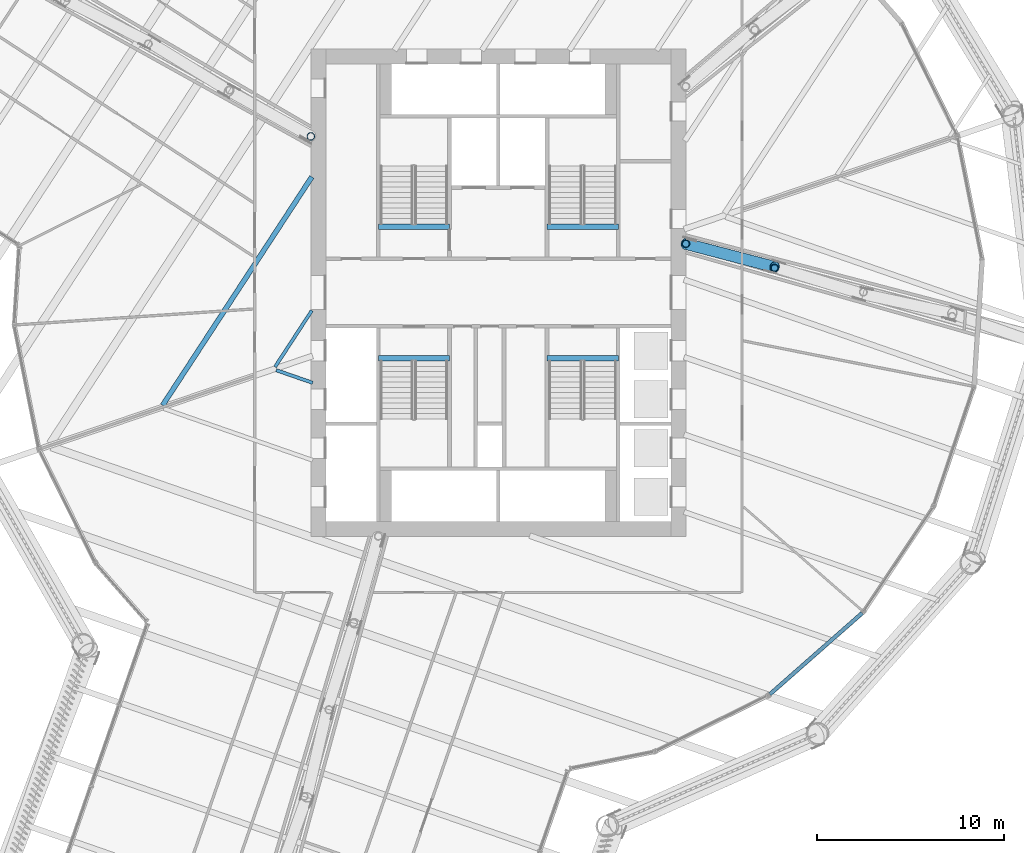
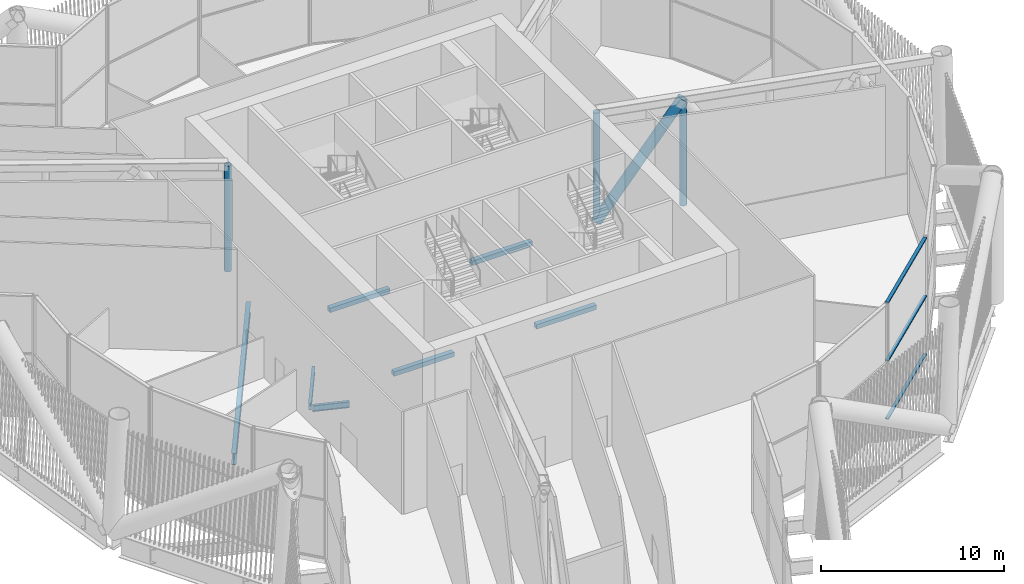
# One storey, part 18 of 63: 7 beams, 7 members, 1 element without a shape of its own.
"""IFC4 building model written with IfcOpenShell, lengths in metres."""

from ifc_helpers import new_model, si_unit, direction, frame, origin, origin_2d, place, context, subcontext, project, spatial, rectangle, hollow_rectangle, hollow_circle, i_section, extrude, material, layer, layer_set, material_profile, profile_set, type_object, element, aggregate, save


model = new_model("IFC4")

# Units and contexts
model_context = context("Model", 3, precision=1e-05, world=origin(), true_north=direction((0.0, 1.0)))
body_context = subcontext(model_context, "Body", "Model", "MODEL_VIEW")
ifc_project = project(units=[si_unit("LENGTHUNIT", "METRE"), si_unit("AREAUNIT", "SQUARE_METRE"), si_unit("VOLUMEUNIT", "CUBIC_METRE"), si_unit("PLANEANGLEUNIT", "RADIAN"), si_unit("MASSUNIT", "GRAM", prefix="KILO")], contexts=[model_context])

# Site, building, storey
site_placement = place(None, origin())
site = spatial("IfcSite", under=ifc_project, at=site_placement, CompositionType="ELEMENT")
building_placement = place(site_placement, origin())
building = spatial("IfcBuilding", under=site, at=building_placement, Name="Tarsis Ring Headquarters", CompositionType="ELEMENT")
storey_placement = place(building_placement, frame((0.0, 0.0, 139.60009765625)))
storey = spatial("IfcBuildingStorey", under=building, at=storey_placement, Name="L32", CompositionType="ELEMENT", Elevation=139.60009765625)

# Curtain wall, members
ifc_material_1 = material(Name="Aluminium curtain wall", Category="aluminium")
ifc_layer = layer(ifc_material_1, 0.25)
ifc_layer_set = layer_set([ifc_layer], Name="Curtain wall sky lobby")
curtain_wall_type = type_object("IfcCurtainWallType", Name="Curtain wall sky lobby", PredefinedType="NOTDEFINED", material=ifc_layer_set)
curtain_wall_placement = place(storey_placement, origin())
curtain_wall = element("IfcCurtainWall", 1, at=curtain_wall_placement, inside=storey, type_object=curtain_wall_type, Name="Curtain wall L32-19", PredefinedType="NOTDEFINED")
ifc_material_2 = material(Name="Aluminium transom", Category="aluminium")
ifc_material_profile_1 = material_profile(ifc_material_2, hollow_rectangle(XDim=0.199951171875, YDim=0.080078125, WallThickness=0.0048828125, at=origin_2d()), Name="RHS 200x80x5")
ifc_profile_set_1 = profile_set([ifc_material_profile_1], Name="Aluminium transom")
member_type_1 = type_object("IfcMemberType", Name="Curtain wall transom sky lobby RHS 200x80x5", PredefinedType="USERDEFINED", material=ifc_profile_set_1)
member_1_placement = place(storey_placement, frame((14.48095703125, -21.427001953125, 0.039794921875), z_axis=(0.750815368014, 0.660512137023, 0.0), x_axis=(-0.660512137023, 0.750815368014, 0.0)))
member_1 = element("IfcMember", 2, at=member_1_placement, type_object=member_type_1, Name="CW-S transom 1.1", ObjectType="TRANSOM", PredefinedType="USERDEFINED", context=body_context, shape_type="SweptSolid", body=[
    extrude(hollow_rectangle(XDim=0.199951171875, YDim=0.080078125, WallThickness=0.0048828125, at=origin_2d()), origin(), (0.0, 0.0, 1.0), 6.5615234375),
])
member_2_placement = place(storey_placement, frame((14.48095703125, -21.427001953125, 3.919921875), z_axis=(0.750815368014, 0.660512137023, 0.0), x_axis=(-0.660512137023, 0.750815368014, 0.0)))
member_2 = element("IfcMember", 3, at=member_2_placement, type_object=member_type_1, Name="CW-S transom 1.2", ObjectType="TRANSOM", PredefinedType="USERDEFINED", context=body_context, shape_type="SweptSolid", body=[
    extrude(hollow_rectangle(XDim=0.199951171875, YDim=0.080078125, WallThickness=0.0048828125, at=origin_2d()), origin(), (0.0, 0.0, 1.0), 6.5615234375),
])
member_3_placement = place(storey_placement, frame((14.48095703125, -21.427001953125, 7.7998046875), z_axis=(0.750815368014, 0.660512137023, 0.0), x_axis=(-0.660512137023, 0.750815368014, 0.0)))
member_3 = element("IfcMember", 4, at=member_3_placement, type_object=member_type_1, Name="CW-S transom 1.3", ObjectType="TRANSOM", PredefinedType="USERDEFINED", context=body_context, shape_type="SweptSolid", body=[
    extrude(hollow_rectangle(XDim=0.199951171875, YDim=0.080078125, WallThickness=0.0048828125, at=origin_2d()), origin(), (0.0, 0.0, 1.0), 6.5615234375),
])
aggregate(curtain_wall, [member_1, member_2, member_3])

# Beams
ifc_material_3 = material(Name="Structural steel S355", Category="steel")
ifc_material_profile_2 = material_profile(ifc_material_3, i_section(OverallWidth=0.177734375, OverallDepth=0.406494140625, WebThickness=0.0078125, FlangeThickness=0.0126953125, at=origin_2d()), Name="W16x40")
ifc_profile_set_2 = profile_set([ifc_material_profile_2], Name="Structural steel S355")
beam_type_1 = type_object("IfcBeamType", Name="FB Floor beam W16x40", PredefinedType="JOIST", material=ifc_profile_set_2)
beam_1_placement = place(storey_placement, frame((-11.84716796875, -4.14111328125, -0.50341796875), z_axis=(0.944616910492, -0.328175094139, 0.0), x_axis=(0.328175094139, 0.944616910492, 0.0)))
element("IfcBeam", 5, at=beam_1_placement, inside=storey, type_object=beam_type_1, Name="Floor beam FB1", PredefinedType="JOIST", context=body_context, shape_type="SweptSolid", body=[
    extrude(i_section(OverallWidth=0.177734375, OverallDepth=0.406494140625, WebThickness=0.0078125, FlangeThickness=0.0126953125, at=origin_2d()), origin(), (0.0, 0.0, 1.0), 2.055419921875),
])
beam_2_placement = place(storey_placement, frame((-9.9453125, -0.9609375, -0.50341796875), z_axis=(-0.546933957749, -0.837175755658, 0.0), x_axis=(0.837175755658, -0.546933957749, 0.0)))
element("IfcBeam", 6, at=beam_2_placement, inside=storey, type_object=beam_type_1, Name="Floor beam FB1", PredefinedType="JOIST", context=body_context, shape_type="SweptSolid", body=[
    extrude(i_section(OverallWidth=0.177734375, OverallDepth=0.406494140625, WebThickness=0.0078125, FlangeThickness=0.0126953125, at=origin_2d()), origin(), (0.0, 0.0, 1.0), 3.587646484375),
])
ifc_material_profile_3 = material_profile(ifc_material_3, i_section(OverallWidth=0.2666015625, OverallDepth=0.7568359375, WebThickness=0.013916015625, FlangeThickness=0.019287109375, at=origin_2d()), Name="W30x108")
ifc_profile_set_3 = profile_set([ifc_material_profile_3], Name="Structural steel S355")
beam_type_2 = type_object("IfcBeamType", Name="FB Floor beam W30x108", PredefinedType="JOIST", material=ifc_profile_set_3)
beam_3_placement = place(storey_placement, frame((-9.9453125, 6.1689453125, -0.678466796875), z_axis=(-0.546977594883, -0.837147245528, 0.0), x_axis=(0.837147245528, -0.546977594883, 0.0)))
element("IfcBeam", 7, at=beam_3_placement, inside=storey, type_object=beam_type_2, Name="Floor beam FB6", PredefinedType="JOIST", context=body_context, shape_type="SweptSolid", body=[
    extrude(i_section(OverallWidth=0.2666015625, OverallDepth=0.7568359375, WebThickness=0.013916015625, FlangeThickness=0.019287109375, at=origin_2d()), origin(), (0.0, 0.0, 1.0), 14.548095703125),
])

# Members
ifc_material_profile_4 = material_profile(ifc_material_3, hollow_circle(Radius=0.3046875, WallThickness=0.02490234375, at=origin_2d()), Name="CHS 610x25")
ifc_profile_set_4 = profile_set([ifc_material_profile_4], Name="Structural steel S355")
member_type_2 = type_object("IfcMemberType", Name="OD Outrigger diagonal CHS 610x25", PredefinedType="BRACE", material=ifc_profile_set_4)
member_4_placement = place(storey_placement, frame((10.0, 2.60009765625, 0.25390625), z_axis=(0.537385424008, -0.140493283255, 0.831551888593), x_axis=(0.252937298247, 0.96748267331, 0.0)))
element("IfcMember", 8, at=member_4_placement, inside=storey, type_object=member_type_2, Name="Outrigger diagonal OD1", PredefinedType="BRACE", context=body_context, shape_type="SweptSolid", body=[
    extrude(hollow_circle(Radius=0.3046875, WallThickness=0.02490234375, at=origin_2d()), origin(), (0.0, 0.0, 1.0), 8.8173828125),
])
ifc_material_profile_5 = material_profile(ifc_material_3, hollow_circle(Radius=0.203125, WallThickness=0.01611328125, at=origin_2d()), Name="CHS 406x16")
ifc_profile_set_5 = profile_set([ifc_material_profile_5], Name="Structural steel S355")
member_type_3 = type_object("IfcMemberType", Name="OV Outrigger post CHS 406x16", PredefinedType="STRUT", material=ifc_profile_set_5)
member_5_placement = place(storey_placement, frame((10.0, 2.60009765625, 0.5078125), z_axis=(0.0, 0.0, 1.0), x_axis=(1.0, 0.0, 0.0)))
element("IfcMember", 9, at=member_5_placement, inside=storey, type_object=member_type_3, Name="Outrigger post OV1", PredefinedType="STRUT", context=body_context, shape_type="SweptSolid", body=[
    extrude(hollow_circle(Radius=0.203125, WallThickness=0.01611328125, at=origin_2d()), origin(), (0.0, 0.0, 1.0), 7.078125),
])
member_6_placement = place(storey_placement, frame((14.733642578125, 1.309326171875, 0.5078125), z_axis=(0.0, 0.0, 1.0), x_axis=(1.0, 0.0, 0.0)))
element("IfcMember", 10, at=member_6_placement, inside=storey, type_object=member_type_3, Name="Outrigger post OV1", PredefinedType="STRUT", context=body_context, shape_type="SweptSolid", body=[
    extrude(hollow_circle(Radius=0.203125, WallThickness=0.01611328125, at=origin_2d()), origin(), (0.0, 0.0, 1.0), 6.823974609375),
])
member_7_placement = place(storey_placement, frame((-10.0, 8.32666015625, 0.5078125), z_axis=(0.0, 0.0, 1.0), x_axis=(1.0, 0.0, 0.0)))
element("IfcMember", 11, at=member_7_placement, inside=storey, type_object=member_type_3, Name="Outrigger post OV1", PredefinedType="STRUT", context=body_context, shape_type="SweptSolid", body=[
    extrude(hollow_circle(Radius=0.203125, WallThickness=0.01611328125, at=origin_2d()), origin(), (0.0, 0.0, 1.0), 7.078125),
])

# Beams
ifc_material_4 = material(Name="Concrete C40/50", Category="concrete")
ifc_material_profile_6 = material_profile(ifc_material_4, rectangle(XDim=0.300048828125, YDim=0.300048828125, at=origin_2d()), Name="Stair head beam 300x300 C40/50")
ifc_profile_set_6 = profile_set([ifc_material_profile_6], Name="Concrete C40/50")
beam_type_3 = type_object("IfcBeamType", Name="Stair head beam 300x300 C40/50", PredefinedType="BEAM", material=ifc_profile_set_6)
for number, where, z_axis, x_axis, name in (
    (12, (-6.39990234375, 3.510009765625, -0.4501953125), (1.0, 0.0, 0.0), (0.0, 1.0, 0.0), "Stair head beam L32 Firefighting stair"),
    (13, (2.60009765625, 3.510009765625, -0.4501953125), (1.0, 0.0, 0.0), (0.0, 1.0, 0.0), "Stair head beam L32 Exit stair B"),
    (14, (-6.39990234375, -3.510009765625, -0.4501953125), (1.0, 0.0, 0.0), (0.0, 1.0, 0.0), "Stair head beam L32 Exit stair C"),
    (15, (2.60009765625, -3.510009765625, -0.4501953125), (1.0, 0.0, 0.0), (0.0, 1.0, 0.0), "Stair head beam L32 Exit stair D"),
):
    element("IfcBeam", number, at=place(storey_placement, frame(where, z_axis=z_axis, x_axis=x_axis)), inside=storey, type_object=beam_type_3, Name=name, PredefinedType="BEAM", context=body_context, shape_type="SweptSolid", body=[
        extrude(rectangle(XDim=0.300048828125, YDim=0.300048828125, at=origin_2d()), origin(), (0.0, 0.0, 1.0), 3.7998046875),
    ])

save(model, "model.ifc")
